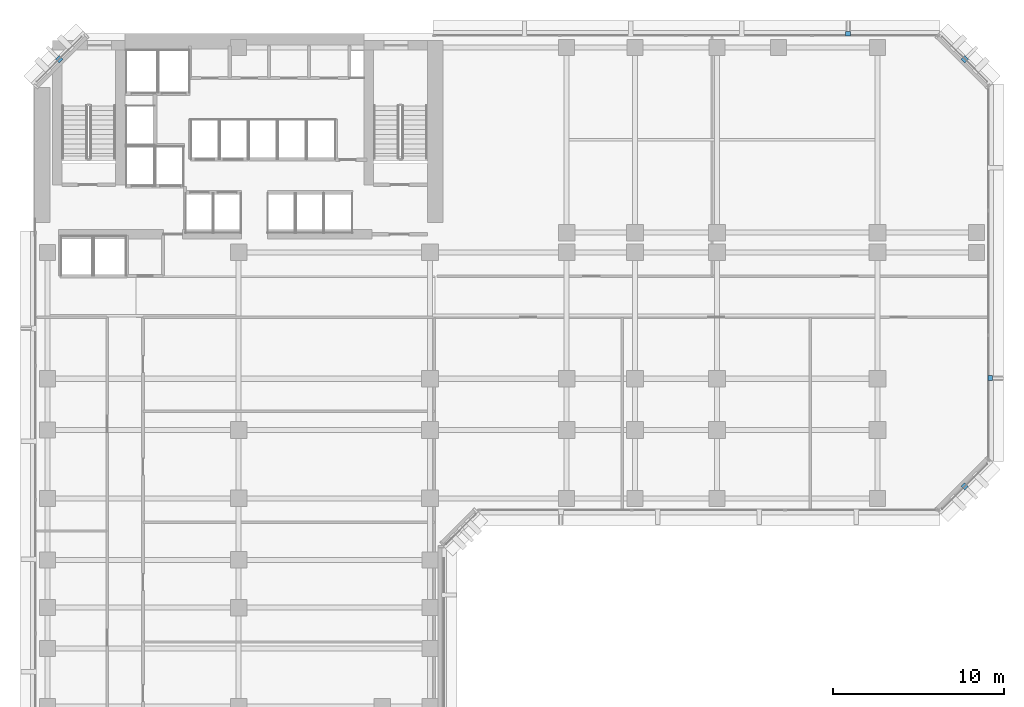
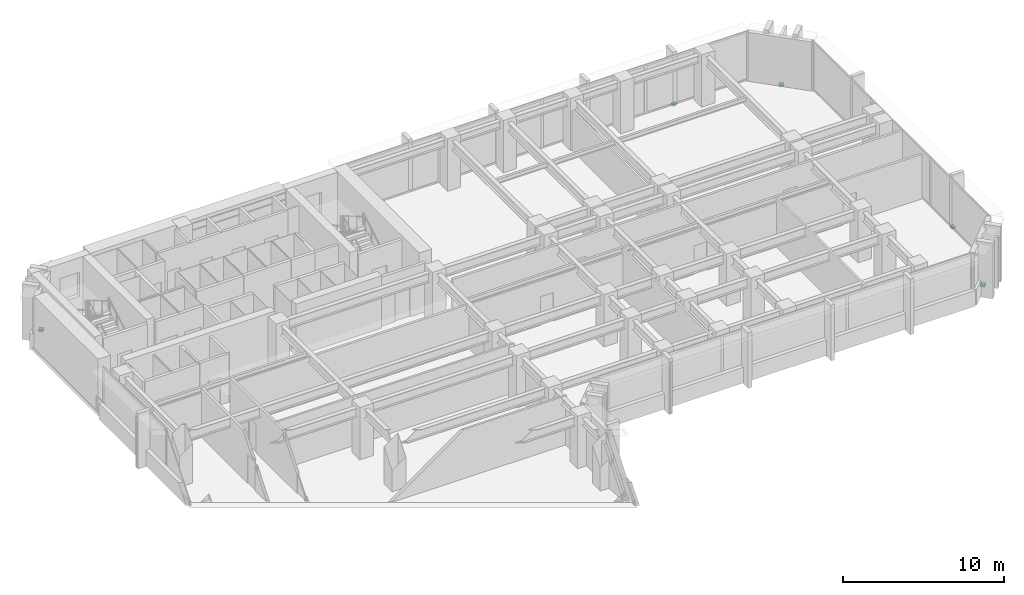
# One storey, part 9 of 14: 5 discrete accessories.
"""IFC4 building model written with IfcOpenShell, lengths in metres."""

from ifc_helpers import new_model, si_unit, direction, frame, origin, origin_2d, place, context, subcontext, project, spatial, rectangle, extrude, material, layer, layer_set, type_object, element, save


model = new_model("IFC4")

# Units and contexts
model_context = context("Model", 3, precision=1e-05, world=origin(), true_north=direction((0.0, 1.0)))
body_context = subcontext(model_context, "Body", "Model", "MODEL_VIEW")
ifc_project = project(units=[si_unit("LENGTHUNIT", "METRE"), si_unit("AREAUNIT", "SQUARE_METRE"), si_unit("VOLUMEUNIT", "CUBIC_METRE"), si_unit("PLANEANGLEUNIT", "RADIAN"), si_unit("MASSUNIT", "GRAM", prefix="KILO")], contexts=[model_context])

# Site, building, storey
site_placement = place(None, origin())
site = spatial("IfcSite", under=ifc_project, at=site_placement, CompositionType="ELEMENT")
building_placement = place(site_placement, origin())
building = spatial("IfcBuilding", under=site, at=building_placement, Name="Kefirva Bronze Tower", CompositionType="ELEMENT")
storey_placement = place(building_placement, frame((0.0, 0.0, 34.320068359375)))
storey = spatial("IfcBuildingStorey", under=building, at=storey_placement, Name="L07", CompositionType="ELEMENT", Elevation=34.320068359375)

# Discrete accessories
ifc_material = material(Name="Stainless steel 316", Category="steel")
ifc_layer = layer(ifc_material, 0.159912109375, Name="Stainless steel 316")
ifc_layer_set = layer_set([ifc_layer], Name="Stainless steel 316")
discrete_accessory_type = type_object("IfcDiscreteAccessoryType", Name="Stainless Facade Outrigger Bracket", PredefinedType="BRACKET", material=ifc_layer_set)
discrete_accessory_1_placement = place(storey_placement, frame((54.5, 19.5, -0.16015625), z_axis=(0.0, 0.0, 1.0), x_axis=(0.707106781187, 0.707106781187, 0.0)))
element("IfcDiscreteAccessory", 1, at=discrete_accessory_1_placement, inside=storey, type_object=discrete_accessory_type, Name="L07 Corner Fin Outrigger Bracket 14", PredefinedType="BRACKET", context=body_context, shape_type="SweptSolid", body=[
    extrude(rectangle(XDim=0.300048828125, YDim=0.300048828125, at=origin_2d()), origin(), (0.0, 0.0, 1.0), 0.159912109375),
])
discrete_accessory_2_placement = place(storey_placement, frame((56.0, 25.840087890625, -0.16015625), z_axis=(0.0, 0.0, 1.0), x_axis=(0.0, 1.0, 0.0)))
element("IfcDiscreteAccessory", 2, at=discrete_accessory_2_placement, inside=storey, type_object=discrete_accessory_type, Name="L07 Rib Outrigger Bracket 15", PredefinedType="BRACKET", context=body_context, shape_type="SweptSolid", body=[
    extrude(rectangle(XDim=0.280029296875, YDim=0.280029296875, at=origin_2d()), origin(), (0.0, 0.0, 1.0), 0.159912109375),
])
discrete_accessory_3_placement = place(storey_placement, frame((54.5, 44.5, -0.16015625), z_axis=(0.0, 0.0, 1.0), x_axis=(-0.707106781187, 0.707106781187, 0.0)))
element("IfcDiscreteAccessory", 3, at=discrete_accessory_3_placement, inside=storey, type_object=discrete_accessory_type, Name="L07 Corner Fin Outrigger Bracket 18", PredefinedType="BRACKET", context=body_context, shape_type="SweptSolid", body=[
    extrude(rectangle(XDim=0.300048828125, YDim=0.300048828125, at=origin_2d()), origin(), (0.0, 0.0, 1.0), 0.159912109375),
])
discrete_accessory_4_placement = place(storey_placement, frame((47.6728515625, 46.0, -0.16015625), z_axis=(0.0, 0.0, 1.0), x_axis=(-1.0, 0.0, 0.0)))
element("IfcDiscreteAccessory", 4, at=discrete_accessory_4_placement, inside=storey, type_object=discrete_accessory_type, Name="L07 Rib Outrigger Bracket 19", PredefinedType="BRACKET", context=body_context, shape_type="SweptSolid", body=[
    extrude(rectangle(XDim=0.280029296875, YDim=0.280029296875, at=origin_2d()), origin(), (0.0, 0.0, 1.0), 0.159912109375),
])
discrete_accessory_5_placement = place(storey_placement, frame((1.5, 44.5, -0.16015625), z_axis=(0.0, 0.0, 1.0), x_axis=(-0.707106781187, -0.707106781187, 0.0)))
element("IfcDiscreteAccessory", 5, at=discrete_accessory_5_placement, inside=storey, type_object=discrete_accessory_type, Name="L07 Corner Fin Outrigger Bracket 24", PredefinedType="BRACKET", context=body_context, shape_type="SweptSolid", body=[
    extrude(rectangle(XDim=0.300048828125, YDim=0.300048828125, at=origin_2d()), origin(), (0.0, 0.0, 1.0), 0.159912109375),
])

save(model, "model.ifc")
